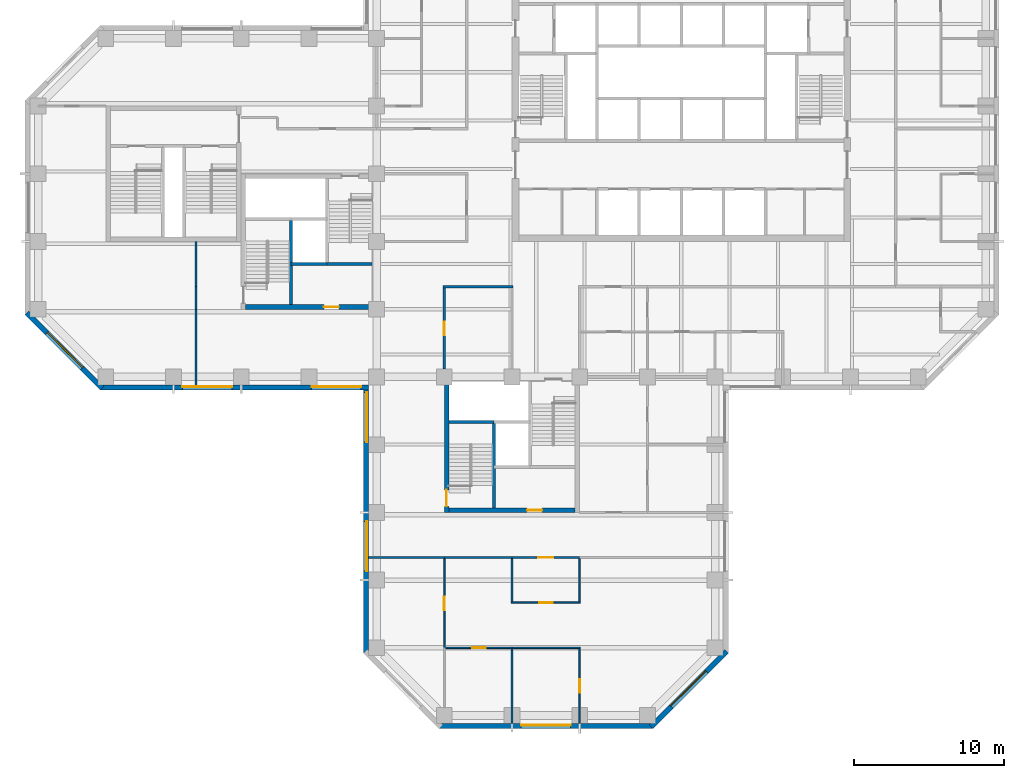
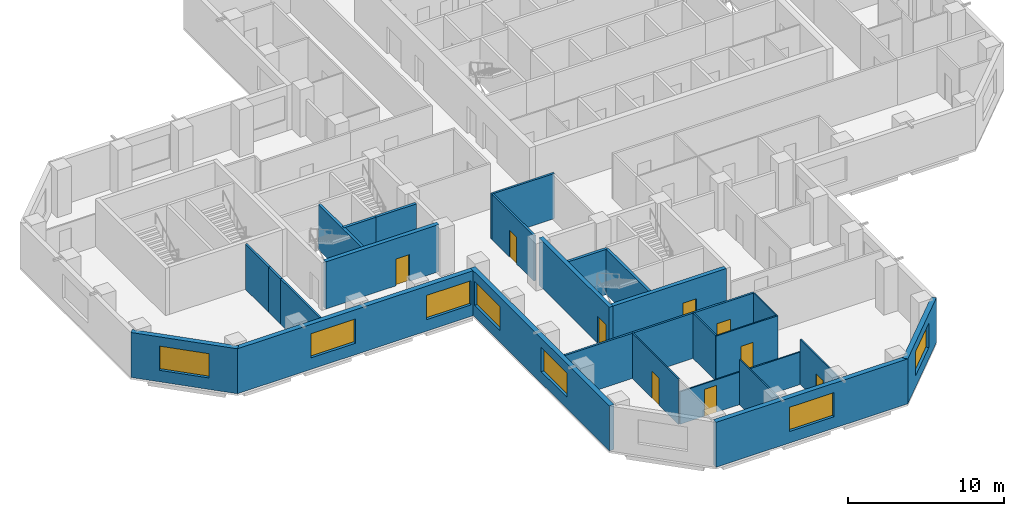
# One storey, part 3 of 11: 29 walls, 9 doors, 7 windows, 16 openings.
"""IFC4 building model written with IfcOpenShell, lengths in metres."""

from ifc_helpers import new_model, si_unit, direction, frame, frame_2d, origin, place, context, subcontext, project, spatial, rectangle, extrude, material, layer, layer_set, constituent, constituent_set, type_object, element, fill, save


model = new_model("IFC4")

# Units and contexts
model_context = context("Model", 3, precision=1e-05, world=origin(), true_north=direction((0.0, 1.0)))
body_context = subcontext(model_context, "Body", "Model", "MODEL_VIEW")
ifc_project = project(units=[si_unit("LENGTHUNIT", "METRE"), si_unit("AREAUNIT", "SQUARE_METRE"), si_unit("VOLUMEUNIT", "CUBIC_METRE"), si_unit("PLANEANGLEUNIT", "RADIAN"), si_unit("MASSUNIT", "GRAM", prefix="KILO")], contexts=[model_context])

# Site, building, storey
site_placement = place(None, origin())
site = spatial("IfcSite", under=ifc_project, at=site_placement, CompositionType="ELEMENT")
building_placement = place(site_placement, origin())
building = spatial("IfcBuilding", under=site, at=building_placement, Name="Quoin Convention Tower", CompositionType="ELEMENT")
storey_placement = place(building_placement, frame((0.0, 0.0, 108.5)))
storey = spatial("IfcBuildingStorey", under=building, at=storey_placement, Name="L28", CompositionType="ELEMENT", Elevation=108.5)

# Wall, opening, window
ifc_material_1 = material(Name="Brick masonry", Category="masonry")
ifc_layer_1 = layer(ifc_material_1, 0.35009765625)
ifc_layer_set_1 = layer_set([ifc_layer_1], Name="Brick masonry")
wall_type_1 = type_object("IfcWallType", Name="Brick facade wall", PredefinedType="STANDARD", material=ifc_layer_set_1)
wall_1_placement = place(storey_placement, frame((12.748779296875, 44.76123046875, 0.0), z_axis=(0.0, 0.0, 1.0), x_axis=(0.707106781187, -0.707106781187, 0.0)))
wall_1 = element("IfcWall", 1, at=wall_1_placement, inside=storey, type_object=wall_type_1, Name="fw-L28-13500_45000", PredefinedType="STANDARD", context=body_context, shape_type="SweptSolid", body=[
    extrude(rectangle(XDim=7.088623046875, YDim=0.35009765625, at=frame_2d((3.54443359375, 0.0))), origin(), (0.0, 0.0, 1.0), 3.52490234375),
])
opening_1_placement = place(wall_1_placement, frame((1.894287109375, 0.0, 0.89990234375)))
opening_1 = element("IfcOpeningElement", 2, at=opening_1_placement, cuts=wall_1, Name="Opening W-02", PredefinedType="OPENING", context=body_context, shape_type="SweptSolid", body=[
    extrude(rectangle(XDim=3.300048828125, YDim=1.89990234375, at=frame_2d((1.64990234375, 0.949951171875))), frame((0.0, 0.18505859375, 0.0), z_axis=(0.0, -1.0, 0.0), x_axis=(1.0, 0.0, 0.0)), (0.0, 0.0, 1.0), 0.3701171875),
])
ifc_material_2 = material(Name="Aluminium", Category="aluminium")
ifc_constituent_1 = constituent(ifc_material_2, Name="Frame")
ifc_material_3 = material(Name="Insulated glass", Category="glass")
ifc_constituent_2 = constituent(ifc_material_3, Name="Glazing")
ifc_constituent_set = constituent_set(constituents=[ifc_constituent_1, ifc_constituent_2], Name="Aluminium")
window_type = type_object("IfcWindowType", Name="Office window", PartitioningType="DOUBLE_PANEL_VERTICAL", PredefinedType="WINDOW", material=ifc_constituent_set)
window_1_placement = place(opening_1_placement, origin())
window_1 = element("IfcWindow", 3, at=window_1_placement, inside=storey, type_object=window_type, Name="win-L28-15255_42255", OverallHeight=1.89990234375, OverallWidth=3.300048828125, PartitioningType="SINGLE_PANEL", PredefinedType="WINDOW", context=body_context, shape_type="SweptSolid", body=[
    extrude(rectangle(XDim=3.300048828125, YDim=1.89990234375, at=frame_2d((1.64990234375, 0.949951171875))), frame((0.0, 0.0849609375, 0.0), z_axis=(0.0, -1.0, 0.0), x_axis=(1.0, 0.0, 0.0)), (0.0, 0.0, 1.0), 0.06005859375),
])
fill(opening_1, window_1)

# Wall, openings, windows
wall_2_placement = place(storey_placement, frame((17.6376953125, 39.800048828125, 0.0), z_axis=(0.0, 0.0, 1.0), x_axis=(1.0, 0.0, 0.0)))
wall_2 = element("IfcWall", 4, at=wall_2_placement, inside=storey, type_object=wall_type_1, Name="fw-L28-18000_40500", PredefinedType="STANDARD", context=body_context, shape_type="SweptSolid", body=[
    extrude(rectangle(XDim=17.83740234375, YDim=0.35009765625, at=frame_2d((8.918701171875, 0.0))), origin(), (0.0, 0.0, 1.0), 3.52490234375),
])
opening_2_placement = place(wall_2_placement, frame((5.46240234375, 0.0, 0.89990234375)))
opening_2 = element("IfcOpeningElement", 5, at=opening_2_placement, cuts=wall_2, Name="Opening W-02", PredefinedType="OPENING", context=body_context, shape_type="SweptSolid", body=[
    extrude(rectangle(XDim=3.300048828125, YDim=1.89990234375, at=frame_2d((1.64990234375, 0.949951171875))), frame((0.0, 0.18505859375, 0.0), z_axis=(0.0, -1.0, 0.0), x_axis=(1.0, 0.0, 0.0)), (0.0, 0.0, 1.0), 0.3701171875),
])
opening_3_placement = place(wall_2_placement, frame((14.037353515625, 0.0, 0.89990234375)))
opening_3 = element("IfcOpeningElement", 6, at=opening_3_placement, cuts=wall_2, Name="Opening W-02", PredefinedType="OPENING", context=body_context, shape_type="SweptSolid", body=[
    extrude(rectangle(XDim=3.300048828125, YDim=1.89990234375, at=frame_2d((1.64990234375, 0.949951171875))), frame((0.0, 0.18505859375, 0.0), z_axis=(0.0, -1.0, 0.0), x_axis=(1.0, 0.0, 0.0)), (0.0, 0.0, 1.0), 0.3701171875),
])
window_2_placement = place(opening_2_placement, origin())
window_2 = element("IfcWindow", 7, at=window_2_placement, inside=storey, type_object=window_type, Name="win-L28-24750_39800", OverallHeight=1.89990234375, OverallWidth=3.300048828125, PartitioningType="SINGLE_PANEL", PredefinedType="WINDOW", context=body_context, shape_type="SweptSolid", body=[
    extrude(rectangle(XDim=3.300048828125, YDim=1.89990234375, at=frame_2d((1.64990234375, 0.949951171875))), frame((0.0, 0.0849609375, 0.0), z_axis=(0.0, -1.0, 0.0), x_axis=(1.0, 0.0, 0.0)), (0.0, 0.0, 1.0), 0.06005859375),
])
fill(opening_2, window_2)
window_3_placement = place(opening_3_placement, origin())
window_3 = element("IfcWindow", 8, at=window_3_placement, inside=storey, type_object=window_type, Name="win-L28-33750_39800", OverallHeight=1.89990234375, OverallWidth=3.300048828125, PartitioningType="SINGLE_PANEL", PredefinedType="WINDOW", context=body_context, shape_type="SweptSolid", body=[
    extrude(rectangle(XDim=3.300048828125, YDim=1.89990234375, at=frame_2d((1.64990234375, 0.949951171875))), frame((0.0, 0.0849609375, 0.0), z_axis=(0.0, -1.0, 0.0), x_axis=(1.0, 0.0, 0.0)), (0.0, 0.0, 1.0), 0.06005859375),
])
fill(opening_3, window_3)

wall_3_placement = place(storey_placement, frame((35.300048828125, 39.97509765625, 0.0), z_axis=(0.0, 0.0, 1.0), x_axis=(0.0, -1.0, 0.0)))
wall_3 = element("IfcWall", 9, at=wall_3_placement, inside=storey, type_object=wall_type_1, Name="fw-L28-36000_40500", PredefinedType="STANDARD", context=body_context, shape_type="SweptSolid", body=[
    extrude(rectangle(XDim=17.83740234375, YDim=0.35009765625, at=frame_2d((8.918701171875, 0.0))), origin(), (0.0, 0.0, 1.0), 3.52490234375),
])
opening_4_placement = place(wall_3_placement, frame((0.5, 0.0, 0.89990234375)))
opening_4 = element("IfcOpeningElement", 10, at=opening_4_placement, cuts=wall_3, Name="Opening W-02", PredefinedType="OPENING", context=body_context, shape_type="SweptSolid", body=[
    extrude(rectangle(XDim=3.300048828125, YDim=1.89990234375, at=frame_2d((1.64990234375, 0.949951171875))), frame((0.0, 0.18505859375, 0.0), z_axis=(0.0, -1.0, 0.0), x_axis=(1.0, 0.0, 0.0)), (0.0, 0.0, 1.0), 0.3701171875),
])
opening_5_placement = place(wall_3_placement, frame((9.074951171875, 0.0, 0.89990234375)))
opening_5 = element("IfcOpeningElement", 11, at=opening_5_placement, cuts=wall_3, Name="Opening W-02", PredefinedType="OPENING", context=body_context, shape_type="SweptSolid", body=[
    extrude(rectangle(XDim=3.300048828125, YDim=1.89990234375, at=frame_2d((1.64990234375, 0.949951171875))), frame((0.0, 0.18505859375, 0.0), z_axis=(0.0, -1.0, 0.0), x_axis=(1.0, 0.0, 0.0)), (0.0, 0.0, 1.0), 0.3701171875),
])
window_4_placement = place(opening_4_placement, origin())
window_4 = element("IfcWindow", 12, at=window_4_placement, inside=storey, type_object=window_type, Name="win-L28-35300_38250", OverallHeight=1.89990234375, OverallWidth=3.300048828125, PartitioningType="SINGLE_PANEL", PredefinedType="WINDOW", context=body_context, shape_type="SweptSolid", body=[
    extrude(rectangle(XDim=3.300048828125, YDim=1.89990234375, at=frame_2d((1.64990234375, 0.949951171875))), frame((0.0, 0.0849609375, 0.0), z_axis=(0.0, -1.0, 0.0), x_axis=(1.0, 0.0, 0.0)), (0.0, 0.0, 1.0), 0.06005859375),
])
fill(opening_4, window_4)
window_5_placement = place(opening_5_placement, origin())
window_5 = element("IfcWindow", 13, at=window_5_placement, inside=storey, type_object=window_type, Name="win-L28-35300_29250", OverallHeight=1.89990234375, OverallWidth=3.300048828125, PartitioningType="SINGLE_PANEL", PredefinedType="WINDOW", context=body_context, shape_type="SweptSolid", body=[
    extrude(rectangle(XDim=3.300048828125, YDim=1.89990234375, at=frame_2d((1.64990234375, 0.949951171875))), frame((0.0, 0.0849609375, 0.0), z_axis=(0.0, -1.0, 0.0), x_axis=(1.0, 0.0, 0.0)), (0.0, 0.0, 1.0), 0.06005859375),
])
fill(opening_5, window_5)

# Wall, opening, window
wall_4_placement = place(storey_placement, frame((40.1376953125, 17.300048828125, 0.0), z_axis=(0.0, 0.0, 1.0), x_axis=(1.0, 0.0, 0.0)))
wall_4 = element("IfcWall", 14, at=wall_4_placement, inside=storey, type_object=wall_type_1, Name="fw-L28-40500_18000", PredefinedType="STANDARD", context=body_context, shape_type="SweptSolid", body=[
    extrude(rectangle(XDim=14.224609375, YDim=0.35009765625, at=frame_2d((7.1123046875, 0.0))), origin(), (0.0, 0.0, 1.0), 3.52490234375),
])
opening_6_placement = place(wall_4_placement, frame((5.46240234375, 0.0, 0.89990234375)))
opening_6 = element("IfcOpeningElement", 15, at=opening_6_placement, cuts=wall_4, Name="Opening W-02", PredefinedType="OPENING", context=body_context, shape_type="SweptSolid", body=[
    extrude(rectangle(XDim=3.300048828125, YDim=1.89990234375, at=frame_2d((1.64990234375, 0.949951171875))), frame((0.0, 0.18505859375, 0.0), z_axis=(0.0, -1.0, 0.0), x_axis=(1.0, 0.0, 0.0)), (0.0, 0.0, 1.0), 0.3701171875),
])
window_6_placement = place(opening_6_placement, origin())
window_6 = element("IfcWindow", 16, at=window_6_placement, inside=storey, type_object=window_type, Name="win-L28-47250_17300", OverallHeight=1.89990234375, OverallWidth=3.300048828125, PartitioningType="SINGLE_PANEL", PredefinedType="WINDOW", context=body_context, shape_type="SweptSolid", body=[
    extrude(rectangle(XDim=3.300048828125, YDim=1.89990234375, at=frame_2d((1.64990234375, 0.949951171875))), frame((0.0, 0.0849609375, 0.0), z_axis=(0.0, -1.0, 0.0), x_axis=(1.0, 0.0, 0.0)), (0.0, 0.0, 1.0), 0.06005859375),
])
fill(opening_6, window_6)

wall_5_placement = place(storey_placement, frame((54.23876953125, 17.248779296875, 0.0), z_axis=(0.0, 0.0, 1.0), x_axis=(0.707106781187, 0.707106781187, 0.0)))
wall_5 = element("IfcWall", 17, at=wall_5_placement, inside=storey, type_object=wall_type_1, Name="fw-L28-54000_18000", PredefinedType="STANDARD", context=body_context, shape_type="SweptSolid", body=[
    extrude(rectangle(XDim=7.088623046875, YDim=0.35009765625, at=frame_2d((3.54443359375, 0.0))), origin(), (0.0, 0.0, 1.0), 3.52490234375),
])
opening_7_placement = place(wall_5_placement, frame((1.894287109375, 0.0, 0.89990234375)))
opening_7 = element("IfcOpeningElement", 18, at=opening_7_placement, cuts=wall_5, Name="Opening W-02", PredefinedType="OPENING", context=body_context, shape_type="SweptSolid", body=[
    extrude(rectangle(XDim=3.300048828125, YDim=1.89990234375, at=frame_2d((1.64990234375, 0.949951171875))), frame((0.0, 0.18505859375, 0.0), z_axis=(0.0, -1.0, 0.0), x_axis=(1.0, 0.0, 0.0)), (0.0, 0.0, 1.0), 0.3701171875),
])
window_7_placement = place(opening_7_placement, origin())
window_7 = element("IfcWindow", 19, at=window_7_placement, inside=storey, type_object=window_type, Name="win-L28-56745_19755", OverallHeight=1.89990234375, OverallWidth=3.300048828125, PartitioningType="SINGLE_PANEL", PredefinedType="WINDOW", context=body_context, shape_type="SweptSolid", body=[
    extrude(rectangle(XDim=3.300048828125, YDim=1.89990234375, at=frame_2d((1.64990234375, 0.949951171875))), frame((0.0, 0.0849609375, 0.0), z_axis=(0.0, -1.0, 0.0), x_axis=(1.0, 0.0, 0.0)), (0.0, 0.0, 1.0), 0.06005859375),
])
fill(opening_7, window_7)

# Walls
ifc_material_4 = material(Name="Concrete C50", Category="concrete")
ifc_layer_2 = layer(ifc_material_4, 0.199951171875)
ifc_layer_set_2 = layer_set([ifc_layer_2], Name="Concrete C50")
wall_type_2 = type_object("IfcWallType", Name="Core shaft wall", PredefinedType="SOLIDWALL", material=ifc_layer_set_2)
wall_6_placement = place(storey_placement, frame((30.300048828125, 48.0, 0.0), z_axis=(0.0, 0.0, 1.0), x_axis=(1.0, 0.0, 0.0)))
element("IfcWall", 20, at=wall_6_placement, inside=storey, type_object=wall_type_2, Name="cr-P2-L28-h3000_3300", PredefinedType="SOLIDWALL", context=body_context, shape_type="SweptSolid", body=[
    extrude(rectangle(XDim=2.39990234375, YDim=0.199951171875, at=frame_2d((1.199951171875, 0.0))), origin(), (0.0, 0.0, 1.0), 3.550048828125),
])
wall_7_placement = place(storey_placement, frame((32.699951171875, 48.0, 0.0), z_axis=(0.0, 0.0, 1.0), x_axis=(1.0, 0.0, 0.0)))
element("IfcWall", 21, at=wall_7_placement, inside=storey, type_object=wall_type_2, Name="cr-P2-L28-h3000_5700", PredefinedType="SOLIDWALL", context=body_context, shape_type="SweptSolid", body=[
    extrude(rectangle(XDim=3.0, YDim=0.199951171875, at=frame_2d((1.5, 0.0))), origin(), (0.0, 0.0, 1.0), 3.550048828125),
])
wall_8_placement = place(storey_placement, frame((30.300048828125, 45.300048828125, 0.0), z_axis=(0.0, 0.0, 1.0), x_axis=(0.0, 1.0, 0.0)))
element("IfcWall", 22, at=wall_8_placement, inside=storey, type_object=wall_type_2, Name="cr-P2-L28-v3300_300", PredefinedType="SOLIDWALL", context=body_context, shape_type="SweptSolid", body=[
    extrude(rectangle(XDim=5.699951171875, YDim=0.199951171875, at=frame_2d((2.85009765625, 0.0))), origin(), (0.0, 0.0, 1.0), 3.550048828125),
])
wall_9_placement = place(storey_placement, frame((40.800048828125, 37.5, 0.0), z_axis=(0.0, 0.0, 1.0), x_axis=(1.0, 0.0, 0.0)))
element("IfcWall", 23, at=wall_9_placement, inside=storey, type_object=wall_type_2, Name="cr-P3-L28-h6000_300", PredefinedType="SOLIDWALL", context=body_context, shape_type="SweptSolid", body=[
    extrude(rectangle(XDim=3.0, YDim=0.199951171875, at=frame_2d((1.5, 0.0))), origin(), (0.0, 0.0, 1.0), 3.550048828125),
])
wall_10_placement = place(storey_placement, frame((43.800048828125, 31.800048828125, 0.0), z_axis=(0.0, 0.0, 1.0), x_axis=(0.0, 1.0, 0.0)))
element("IfcWall", 24, at=wall_10_placement, inside=storey, type_object=wall_type_2, Name="cr-P3-L28-v3300_300", PredefinedType="SOLIDWALL", context=body_context, shape_type="SweptSolid", body=[
    extrude(rectangle(XDim=5.699951171875, YDim=0.199951171875, at=frame_2d((2.85009765625, 0.0))), origin(), (0.0, 0.0, 1.0), 3.550048828125),
])
ifc_material_5 = material(Name="Plasterboard")
ifc_layer_3 = layer(ifc_material_5, 0.012451171875, Name="Finish")
ifc_material_6 = material(Name="Steel stud framing", Category="steel")
ifc_layer_4 = layer(ifc_material_6, 0.125, Name="Structure")
ifc_layer_5 = layer(ifc_material_5, 0.012451171875, Name="Finish")
ifc_layer_set_3 = layer_set([ifc_layer_3, ifc_layer_4, ifc_layer_5], Name="Steel stud framing")
wall_type_3 = type_object("IfcWallType", Name="Corridor wall 150", PredefinedType="PARTITIONING", material=ifc_layer_set_3)
wall_11_placement = place(storey_placement, frame((35.47509765625, 28.5, 0.0), z_axis=(0.0, 0.0, 1.0), x_axis=(1.0, 0.0, 0.0)))
element("IfcWall", 25, at=wall_11_placement, inside=storey, type_object=wall_type_3, Name="pw-L28-004", PredefinedType="PARTITIONING", context=body_context, shape_type="SweptSolid", body=[
    extrude(rectangle(XDim=5.02490234375, YDim=0.14990234375, at=frame_2d((2.512451171875, 0.0))), origin(), (0.0, 0.0, 1.0), 3.550048828125),
])
wall_12_placement = place(storey_placement, frame((40.5, 28.5, 0.0), z_axis=(0.0, 0.0, 1.0), x_axis=(1.0, 0.0, 0.0)))
element("IfcWall", 26, at=wall_12_placement, inside=storey, type_object=wall_type_3, Name="pw-L28-005", PredefinedType="PARTITIONING", context=body_context, shape_type="SweptSolid", body=[
    extrude(rectangle(XDim=4.5, YDim=0.14990234375, at=frame_2d((2.25, 0.0))), origin(), (0.0, 0.0, 1.0), 3.550048828125),
])

# Wall, opening, door
wall_13_placement = place(storey_placement, frame((45.0, 28.5, 0.0), z_axis=(0.0, 0.0, 1.0), x_axis=(1.0, 0.0, 0.0)))
wall_13 = element("IfcWall", 27, at=wall_13_placement, inside=storey, type_object=wall_type_3, Name="pw-L28-006", PredefinedType="PARTITIONING", context=body_context, shape_type="SweptSolid", body=[
    extrude(rectangle(XDim=4.5, YDim=0.14990234375, at=frame_2d((2.25, 0.0))), origin(), (0.0, 0.0, 1.0), 3.550048828125),
])
opening_8_placement = place(wall_13_placement, frame((1.75, 0.0, 0.0)))
opening_8 = element("IfcOpeningElement", 28, at=opening_8_placement, cuts=wall_13, Name="Opening DOL5-03", PredefinedType="OPENING", context=body_context, shape_type="SweptSolid", body=[
    extrude(rectangle(XDim=1.0, YDim=2.10009765625, at=frame_2d((0.5, 1.050048828125))), frame((0.0, 0.0849609375, 0.0), z_axis=(0.0, -1.0, 0.0), x_axis=(1.0, 0.0, 0.0)), (0.0, 0.0, 1.0), 0.169921875),
])
ifc_material_7 = material(Name="Steel door leaf", Category="steel")
door_type_1 = type_object("IfcDoorType", Name="Tenancy entrance door 1000 x 2100", OperationType="DOUBLE_DOOR_SINGLE_SWING", PredefinedType="DOOR", material=ifc_material_7)
door_1_placement = place(opening_8_placement, frame((1.0, 0.0, 0.0), z_axis=(0.0, 0.0, 1.0), x_axis=(-1.0, 0.0, 0.0)))
door_1 = element("IfcDoor", 29, at=door_1_placement, inside=storey, type_object=door_type_1, Name="dr-L28-14", OperationType="DOUBLE_DOOR_SINGLE_SWING", OverallHeight=2.10009765625, OverallWidth=1.0, PredefinedType="DOOR", context=body_context, shape_type="SweptSolid", body=[
    extrude(rectangle(XDim=1.0, YDim=2.10009765625, at=frame_2d((0.5, 1.050048828125))), frame((0.0, 0.02490234375, 0.0), z_axis=(0.0, -1.0, 0.0), x_axis=(1.0, 0.0, 0.0)), (0.0, 0.0, 1.0), 0.050048828125),
])
fill(opening_8, door_1)

# Walls
wall_14_placement = place(storey_placement, frame((40.425048828125, 46.5, 0.0), z_axis=(0.0, 0.0, 1.0), x_axis=(1.0, 0.0, 0.0)))
element("IfcWall", 30, at=wall_14_placement, inside=storey, type_object=wall_type_3, Name="pw-L28-020", PredefinedType="PARTITIONING", context=body_context, shape_type="SweptSolid", body=[
    extrude(rectangle(XDim=4.64990234375, YDim=0.14990234375, at=frame_2d((2.324951171875, 0.0))), origin(), (0.0, 0.0, 1.0), 3.550048828125),
])
wall_15_placement = place(storey_placement, frame((24.0, 39.97509765625, 0.0), z_axis=(0.0, 0.0, 1.0), x_axis=(0.0, 1.0, 0.0)))
element("IfcWall", 31, at=wall_15_placement, inside=storey, type_object=wall_type_3, Name="pw-L28-071", PredefinedType="PARTITIONING", context=body_context, shape_type="SweptSolid", body=[
    extrude(rectangle(XDim=5.02490234375, YDim=0.14990234375, at=frame_2d((2.512451171875, 0.0))), origin(), (0.0, 0.0, 1.0), 3.550048828125),
])

# Wall, opening, door
wall_16_placement = place(storey_placement, frame((40.5, 41.02490234375, 0.0), z_axis=(0.0, 0.0, 1.0), x_axis=(0.0, 1.0, 0.0)))
wall_16 = element("IfcWall", 32, at=wall_16_placement, inside=storey, type_object=wall_type_3, Name="pw-L28-073", PredefinedType="PARTITIONING", context=body_context, shape_type="SweptSolid", body=[
    extrude(rectangle(XDim=5.400146484375, YDim=0.14990234375, at=frame_2d((2.7001953125, 0.0))), origin(), (0.0, 0.0, 1.0), 3.550048828125),
])
opening_9_placement = place(wall_16_placement, frame((2.25, 0.0, 0.0)))
opening_9 = element("IfcOpeningElement", 33, at=opening_9_placement, cuts=wall_16, Name="Opening DOL5-28", PredefinedType="OPENING", context=body_context, shape_type="SweptSolid", body=[
    extrude(rectangle(XDim=0.89990234375, YDim=2.10009765625, at=frame_2d((0.449951171875, 1.050048828125))), frame((0.0, 0.0849609375, 0.0), z_axis=(0.0, -1.0, 0.0), x_axis=(1.0, 0.0, 0.0)), (0.0, 0.0, 1.0), 0.169921875),
])
door_type_2 = type_object("IfcDoorType", Name="Office door 900 x 2100", OperationType="SINGLE_SWING_RIGHT", PredefinedType="DOOR", material=ifc_material_7)
door_2_placement = place(opening_9_placement, frame((0.89990234375, 0.0, 0.0), z_axis=(0.0, 0.0, 1.0), x_axis=(-1.0, 0.0, 0.0)))
door_2 = element("IfcDoor", 34, at=door_2_placement, inside=storey, type_object=door_type_2, Name="dr-L28-02", OperationType="SINGLE_SWING_LEFT", OverallHeight=2.10009765625, OverallWidth=0.89990234375, PredefinedType="DOOR", context=body_context, shape_type="SweptSolid", body=[
    extrude(rectangle(XDim=0.89990234375, YDim=2.10009765625, at=frame_2d((0.449951171875, 1.050048828125))), frame((0.0, 0.02490234375, 0.0), z_axis=(0.0, -1.0, 0.0), x_axis=(1.0, 0.0, 0.0)), (0.0, 0.0, 1.0), 0.050048828125),
])
fill(opening_9, door_2)

# Walls
wall_17_placement = place(storey_placement, frame((24.0, 45.0, 0.0), z_axis=(0.0, 0.0, 1.0), x_axis=(0.0, 1.0, 0.0)))
element("IfcWall", 35, at=wall_17_placement, inside=storey, type_object=wall_type_3, Name="pw-L28-081", PredefinedType="PARTITIONING", context=body_context, shape_type="SweptSolid", body=[
    extrude(rectangle(XDim=1.5, YDim=0.14990234375, at=frame_2d((0.75, 0.0))), origin(), (0.0, 0.0, 1.0), 3.550048828125),
])
wall_18_placement = place(storey_placement, frame((24.0, 46.5, 0.0), z_axis=(0.0, 0.0, 1.0), x_axis=(0.0, 1.0, 0.0)))
element("IfcWall", 36, at=wall_18_placement, inside=storey, type_object=wall_type_3, Name="pw-L28-083", PredefinedType="PARTITIONING", context=body_context, shape_type="SweptSolid", body=[
    extrude(rectangle(XDim=3.0, YDim=0.14990234375, at=frame_2d((1.5, 0.0))), origin(), (0.0, 0.0, 1.0), 3.550048828125),
])

# Wall, opening, door
ifc_material_8 = material(Name="Concrete C65", Category="concrete")
ifc_layer_6 = layer(ifc_material_8, 0.300048828125)
ifc_layer_set_4 = layer_set([ifc_layer_6], Name="Concrete C65")
wall_type_4 = type_object("IfcWallType", Name="RC CORE WALL 300 C65", PredefinedType="SHEAR", material=ifc_layer_set_4)
wall_19_placement = place(storey_placement, frame((27.300048828125, 45.14990234375, 0.0), z_axis=(0.0, 0.0, 1.0), x_axis=(1.0, 0.0, 0.0)))
wall_19 = element("IfcWall", 37, at=wall_19_placement, inside=storey, type_object=wall_type_4, Name="cwl-P2-L28-S", PredefinedType="SHEAR", context=body_context, shape_type="SweptSolid", body=[
    extrude(rectangle(XDim=8.39990234375, YDim=0.300048828125, at=frame_2d((4.199951171875, 0.0))), origin(), (0.0, 0.0, 1.0), 3.699951171875),
])
opening_10_placement = place(wall_19_placement, frame((5.199951171875, 0.0, 0.0)))
opening_10 = element("IfcOpeningElement", 38, at=opening_10_placement, cuts=wall_19, Name="Opening DCV4-42", PredefinedType="OPENING", context=body_context, shape_type="SweptSolid", body=[
    extrude(rectangle(XDim=1.0, YDim=2.10009765625, at=frame_2d((0.5, 1.050048828125))), frame((0.0, 0.159912109375, 0.0), z_axis=(0.0, -1.0, 0.0), x_axis=(1.0, 0.0, 0.0)), (0.0, 0.0, 1.0), 0.320068359375),
])
door_type_3 = type_object("IfcDoorType", Name="Service door 1000 x 2100", OperationType="SINGLE_SWING_LEFT", PredefinedType="DOOR", material=ifc_material_7)
door_3_placement = place(opening_10_placement, origin())
door_3 = element("IfcDoor", 39, at=door_3_placement, inside=storey, type_object=door_type_3, Name="cd-P2-L28-R2-S", OperationType="SINGLE_SWING_LEFT", OverallHeight=2.10009765625, OverallWidth=1.0, PredefinedType="DOOR", context=body_context, shape_type="SweptSolid", body=[
    extrude(rectangle(XDim=1.0, YDim=2.10009765625, at=frame_2d((0.5, 1.050048828125))), frame((0.0, 0.02490234375, 0.0), z_axis=(0.0, -1.0, 0.0), x_axis=(1.0, 0.0, 0.0)), (0.0, 0.0, 1.0), 0.050048828125),
])
fill(opening_10, door_3)

wall_20_placement = place(storey_placement, frame((40.800048828125, 31.64990234375, 0.0), z_axis=(0.0, 0.0, 1.0), x_axis=(1.0, 0.0, 0.0)))
wall_20 = element("IfcWall", 40, at=wall_20_placement, inside=storey, type_object=wall_type_4, Name="cwl-P3-L28-S", PredefinedType="SHEAR", context=body_context, shape_type="SweptSolid", body=[
    extrude(rectangle(XDim=8.39990234375, YDim=0.300048828125, at=frame_2d((4.199951171875, 0.0))), origin(), (0.0, 0.0, 1.0), 3.699951171875),
])
opening_11_placement = place(wall_20_placement, frame((5.199951171875, 0.0, 0.0)))
opening_11 = element("IfcOpeningElement", 41, at=opening_11_placement, cuts=wall_20, Name="Opening DCV4-43", PredefinedType="OPENING", context=body_context, shape_type="SweptSolid", body=[
    extrude(rectangle(XDim=1.0, YDim=2.10009765625, at=frame_2d((0.5, 1.050048828125))), frame((0.0, 0.159912109375, 0.0), z_axis=(0.0, -1.0, 0.0), x_axis=(1.0, 0.0, 0.0)), (0.0, 0.0, 1.0), 0.320068359375),
])
door_4_placement = place(opening_11_placement, origin())
door_4 = element("IfcDoor", 42, at=door_4_placement, inside=storey, type_object=door_type_3, Name="cd-P3-L28-R2-S", OperationType="SINGLE_SWING_LEFT", OverallHeight=2.10009765625, OverallWidth=1.0, PredefinedType="DOOR", context=body_context, shape_type="SweptSolid", body=[
    extrude(rectangle(XDim=1.0, YDim=2.10009765625, at=frame_2d((0.5, 1.050048828125))), frame((0.0, 0.02490234375, 0.0), z_axis=(0.0, -1.0, 0.0), x_axis=(1.0, 0.0, 0.0)), (0.0, 0.0, 1.0), 0.050048828125),
])
fill(opening_11, door_4)

wall_21_placement = place(storey_placement, frame((40.64990234375, 31.5, 0.0), z_axis=(0.0, 0.0, 1.0), x_axis=(0.0, 1.0, 0.0)))
wall_21 = element("IfcWall", 43, at=wall_21_placement, inside=storey, type_object=wall_type_4, Name="cwl-P3-L28-W", PredefinedType="SHEAR", context=body_context, shape_type="SweptSolid", body=[
    extrude(rectangle(XDim=9.0, YDim=0.300048828125, at=frame_2d((4.5, 0.0))), origin(), (0.0, 0.0, 1.0), 3.699951171875),
])
opening_12_placement = place(wall_21_placement, frame((0.39990234375, 0.0, 0.0)))
opening_12 = element("IfcOpeningElement", 44, at=opening_12_placement, cuts=wall_21, Name="Opening SD5", PredefinedType="OPENING", context=body_context, shape_type="SweptSolid", body=[
    extrude(rectangle(XDim=1.10009765625, YDim=2.10009765625, at=frame_2d((0.550048828125, 1.050048828125))), frame((0.0, 0.159912109375, 0.0), z_axis=(0.0, -1.0, 0.0), x_axis=(1.0, 0.0, 0.0)), (0.0, 0.0, 1.0), 0.320068359375),
])
door_type_4 = type_object("IfcDoorType", Name="Stair door 1100 x 2100", OperationType="SINGLE_SWING_RIGHT", PredefinedType="DOOR", material=ifc_material_7)
door_5_placement = place(opening_12_placement, frame((1.10009765625, 0.0, 0.0), z_axis=(0.0, 0.0, 1.0), x_axis=(-1.0, 0.0, 0.0)))
door_5 = element("IfcDoor", 45, at=door_5_placement, inside=storey, type_object=door_type_4, Name="cd-P3-L28-SA-W", OperationType="SINGLE_SWING_RIGHT", OverallHeight=2.10009765625, OverallWidth=1.10009765625, PredefinedType="DOOR", context=body_context, shape_type="SweptSolid", body=[
    extrude(rectangle(XDim=1.10009765625, YDim=2.10009765625, at=frame_2d((0.550048828125, 1.050048828125))), frame((0.0, 0.02490234375, 0.0), z_axis=(0.0, -1.0, 0.0), x_axis=(1.0, 0.0, 0.0)), (0.0, 0.0, 1.0), 0.050048828125),
])
fill(opening_12, door_5)

ifc_layer_7 = layer(ifc_material_5, 0.012451171875, Name="Finish")
ifc_layer_8 = layer(ifc_material_6, 0.074951171875, Name="Structure")
ifc_layer_9 = layer(ifc_material_5, 0.012451171875, Name="Finish")
ifc_layer_set_5 = layer_set([ifc_layer_7, ifc_layer_8, ifc_layer_9], Name="Steel stud framing")
wall_type_5 = type_object("IfcWallType", Name="Stud partition 100", PredefinedType="PARTITIONING", material=ifc_layer_set_5)
wall_22_placement = place(storey_placement, frame((44.949951171875, 25.5, 0.0), z_axis=(0.0, 0.0, 1.0), x_axis=(1.0, 0.0, 0.0)))
wall_22 = element("IfcWall", 46, at=wall_22_placement, inside=storey, type_object=wall_type_5, Name="pw-L28-003", PredefinedType="PARTITIONING", context=body_context, shape_type="SweptSolid", body=[
    extrude(rectangle(XDim=4.60009765625, YDim=0.10009765625, at=frame_2d((2.300048828125, 0.0))), origin(), (0.0, 0.0, 1.0), 3.550048828125),
])
opening_13_placement = place(wall_22_placement, frame((1.85009765625, 0.0, 0.0)))
opening_13 = element("IfcOpeningElement", 47, at=opening_13_placement, cuts=wall_22, Name="Opening DOL5-02", PredefinedType="OPENING", context=body_context, shape_type="SweptSolid", body=[
    extrude(rectangle(XDim=0.89990234375, YDim=2.10009765625, at=frame_2d((0.449951171875, 1.050048828125))), frame((0.0, 0.06005859375, 0.0), z_axis=(0.0, -1.0, 0.0), x_axis=(1.0, 0.0, 0.0)), (0.0, 0.0, 1.0), 0.1201171875),
])
door_6_placement = place(opening_13_placement, frame((0.89990234375, 0.0, 0.0), z_axis=(0.0, 0.0, 1.0), x_axis=(-1.0, 0.0, 0.0)))
door_6 = element("IfcDoor", 48, at=door_6_placement, inside=storey, type_object=door_type_2, Name="dr-L28-15", OperationType="SINGLE_SWING_LEFT", OverallHeight=2.10009765625, OverallWidth=0.89990234375, PredefinedType="DOOR", context=body_context, shape_type="SweptSolid", body=[
    extrude(rectangle(XDim=0.89990234375, YDim=2.10009765625, at=frame_2d((0.449951171875, 1.050048828125))), frame((0.0, 0.02490234375, 0.0), z_axis=(0.0, -1.0, 0.0), x_axis=(1.0, 0.0, 0.0)), (0.0, 0.0, 1.0), 0.050048828125),
])
fill(opening_13, door_6)

# Wall
wall_23_placement = place(storey_placement, frame((45.0, 17.47509765625, 0.0), z_axis=(0.0, 0.0, 1.0), x_axis=(0.0, 1.0, 0.0)))
element("IfcWall", 49, at=wall_23_placement, inside=storey, type_object=wall_type_5, Name="pw-L28-063", PredefinedType="PARTITIONING", context=body_context, shape_type="SweptSolid", body=[
    extrude(rectangle(XDim=4.974853515625, YDim=0.10009765625, at=frame_2d((2.4873046875, 0.0))), origin(), (0.0, 0.0, 1.0), 3.550048828125),
])

# Wall, opening, door
wall_24_placement = place(storey_placement, frame((49.5, 17.47509765625, 0.0), z_axis=(0.0, 0.0, 1.0), x_axis=(0.0, 1.0, 0.0)))
wall_24 = element("IfcWall", 50, at=wall_24_placement, inside=storey, type_object=wall_type_5, Name="pw-L28-064", PredefinedType="PARTITIONING", context=body_context, shape_type="SweptSolid", body=[
    extrude(rectangle(XDim=4.974853515625, YDim=0.10009765625, at=frame_2d((2.4873046875, 0.0))), origin(), (0.0, 0.0, 1.0), 3.550048828125),
])
opening_14_placement = place(wall_24_placement, frame((2.050048828125, 0.0, 0.0)))
opening_14 = element("IfcOpeningElement", 51, at=opening_14_placement, cuts=wall_24, Name="Opening DOL5-24", PredefinedType="OPENING", context=body_context, shape_type="SweptSolid", body=[
    extrude(rectangle(XDim=0.89990234375, YDim=2.10009765625, at=frame_2d((0.449951171875, 1.050048828125))), frame((0.0, 0.06005859375, 0.0), z_axis=(0.0, -1.0, 0.0), x_axis=(1.0, 0.0, 0.0)), (0.0, 0.0, 1.0), 0.1201171875),
])
door_7_placement = place(opening_14_placement, frame((0.89990234375, 0.0, 0.0), z_axis=(0.0, 0.0, 1.0), x_axis=(-1.0, 0.0, 0.0)))
door_7 = element("IfcDoor", 52, at=door_7_placement, inside=storey, type_object=door_type_2, Name="dr-L28-18", OperationType="SINGLE_SWING_LEFT", OverallHeight=2.10009765625, OverallWidth=0.89990234375, PredefinedType="DOOR", context=body_context, shape_type="SweptSolid", body=[
    extrude(rectangle(XDim=0.89990234375, YDim=2.10009765625, at=frame_2d((0.449951171875, 1.050048828125))), frame((0.0, 0.02490234375, 0.0), z_axis=(0.0, -1.0, 0.0), x_axis=(1.0, 0.0, 0.0)), (0.0, 0.0, 1.0), 0.050048828125),
])
fill(opening_14, door_7)

wall_25_placement = place(storey_placement, frame((40.5, 22.5, 0.0), z_axis=(0.0, 0.0, 1.0), x_axis=(0.0, 1.0, 0.0)))
wall_25 = element("IfcWall", 53, at=wall_25_placement, inside=storey, type_object=wall_type_5, Name="pw-L28-066", PredefinedType="PARTITIONING", context=body_context, shape_type="SweptSolid", body=[
    extrude(rectangle(XDim=5.925048828125, YDim=0.10009765625, at=frame_2d((2.96240234375, 0.0))), origin(), (0.0, 0.0, 1.0), 3.550048828125),
])
opening_15_placement = place(wall_25_placement, frame((2.5, 0.0, 0.0)))
opening_15 = element("IfcOpeningElement", 54, at=opening_15_placement, cuts=wall_25, Name="Opening DOL5-25", PredefinedType="OPENING", context=body_context, shape_type="SweptSolid", body=[
    extrude(rectangle(XDim=0.89990234375, YDim=2.10009765625, at=frame_2d((0.449951171875, 1.050048828125))), frame((0.0, 0.06005859375, 0.0), z_axis=(0.0, -1.0, 0.0), x_axis=(1.0, 0.0, 0.0)), (0.0, 0.0, 1.0), 0.1201171875),
])
door_8_placement = place(opening_15_placement, frame((0.89990234375, 0.0, 0.0), z_axis=(0.0, 0.0, 1.0), x_axis=(-1.0, 0.0, 0.0)))
door_8 = element("IfcDoor", 55, at=door_8_placement, inside=storey, type_object=door_type_2, Name="dr-L28-16", OperationType="SINGLE_SWING_RIGHT", OverallHeight=2.10009765625, OverallWidth=0.89990234375, PredefinedType="DOOR", context=body_context, shape_type="SweptSolid", body=[
    extrude(rectangle(XDim=0.89990234375, YDim=2.10009765625, at=frame_2d((0.449951171875, 1.050048828125))), frame((0.0, 0.02490234375, 0.0), z_axis=(0.0, -1.0, 0.0), x_axis=(1.0, 0.0, 0.0)), (0.0, 0.0, 1.0), 0.050048828125),
])
fill(opening_15, door_8)

# Walls
for number, where, z_axis, x_axis, name in (
    (56, (45.0, 25.550048828125, 0.0), (0.0, 0.0, 1.0), (0.0, 1.0, 0.0), "pw-L28-067"),
    (57, (49.5, 25.550048828125, 0.0), (0.0, 0.0, 1.0), (0.0, 1.0, 0.0), "pw-L28-068"),
):
    element("IfcWall", number, at=place(storey_placement, frame(where, z_axis=z_axis, x_axis=x_axis)), inside=storey, type_object=wall_type_5, Name=name, PredefinedType="PARTITIONING", context=body_context, shape_type="SweptSolid", body=[
        extrude(rectangle(XDim=2.875, YDim=0.10009765625, at=frame_2d((1.4375, 0.0))), origin(), (0.0, 0.0, 1.0), 3.550048828125),
    ])

# Wall, opening, door
ifc_layer_10 = layer(ifc_material_5, 0.012451171875, Name="Finish")
ifc_layer_11 = layer(ifc_material_6, 0.074951171875, Name="Structure")
ifc_layer_12 = layer(ifc_material_5, 0.012451171875, Name="Finish")
ifc_layer_set_6 = layer_set([ifc_layer_10, ifc_layer_11, ifc_layer_12], Name="Steel stud framing")
wall_type_6 = type_object("IfcWallType", Name="Stud partition 100 under beam 1000", PredefinedType="PARTITIONING", material=ifc_layer_set_6)
wall_26_placement = place(storey_placement, frame((40.550048828125, 22.5, 0.0), z_axis=(0.0, 0.0, 1.0), x_axis=(1.0, 0.0, 0.0)))
wall_26 = element("IfcWall", 58, at=wall_26_placement, inside=storey, type_object=wall_type_6, Name="pw-L28-001", PredefinedType="PARTITIONING", context=body_context, shape_type="SweptSolid", body=[
    extrude(rectangle(XDim=4.449951171875, YDim=0.10009765625, at=frame_2d((2.22509765625, 0.0))), origin(), (0.0, 0.0, 1.0), 2.550048828125),
])
opening_16_placement = place(wall_26_placement, frame((1.800048828125, 0.0, 0.0)))
opening_16 = element("IfcOpeningElement", 59, at=opening_16_placement, cuts=wall_26, Name="Opening DOL5-01", PredefinedType="OPENING", context=body_context, shape_type="SweptSolid", body=[
    extrude(rectangle(XDim=0.89990234375, YDim=2.10009765625, at=frame_2d((0.449951171875, 1.050048828125))), frame((0.0, 0.06005859375, 0.0), z_axis=(0.0, -1.0, 0.0), x_axis=(1.0, 0.0, 0.0)), (0.0, 0.0, 1.0), 0.1201171875),
])
door_9_placement = place(opening_16_placement, origin())
door_9 = element("IfcDoor", 60, at=door_9_placement, inside=storey, type_object=door_type_2, Name="dr-L28-17", OperationType="SINGLE_SWING_RIGHT", OverallHeight=2.10009765625, OverallWidth=0.89990234375, PredefinedType="DOOR", context=body_context, shape_type="SweptSolid", body=[
    extrude(rectangle(XDim=0.89990234375, YDim=2.10009765625, at=frame_2d((0.449951171875, 1.050048828125))), frame((0.0, 0.02490234375, 0.0), z_axis=(0.0, -1.0, 0.0), x_axis=(1.0, 0.0, 0.0)), (0.0, 0.0, 1.0), 0.050048828125),
])
fill(opening_16, door_9)

# Wall
wall_27_placement = place(storey_placement, frame((45.0, 22.5, 0.0), z_axis=(0.0, 0.0, 1.0), x_axis=(1.0, 0.0, 0.0)))
element("IfcWall", 61, at=wall_27_placement, inside=storey, type_object=wall_type_6, Name="pw-L28-002", PredefinedType="PARTITIONING", context=body_context, shape_type="SweptSolid", body=[
    extrude(rectangle(XDim=4.550048828125, YDim=0.10009765625, at=frame_2d((2.27490234375, 0.0))), origin(), (0.0, 0.0, 1.0), 2.550048828125),
])

save(model, "model.ifc")
